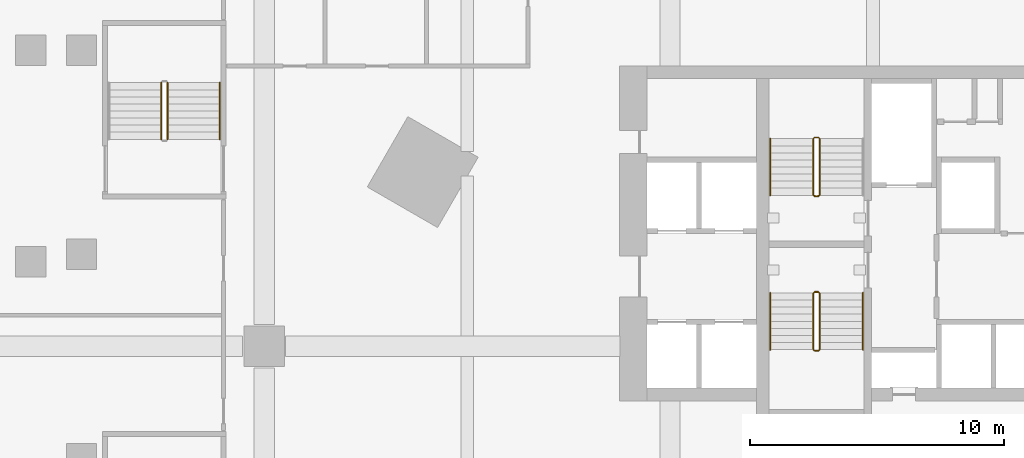
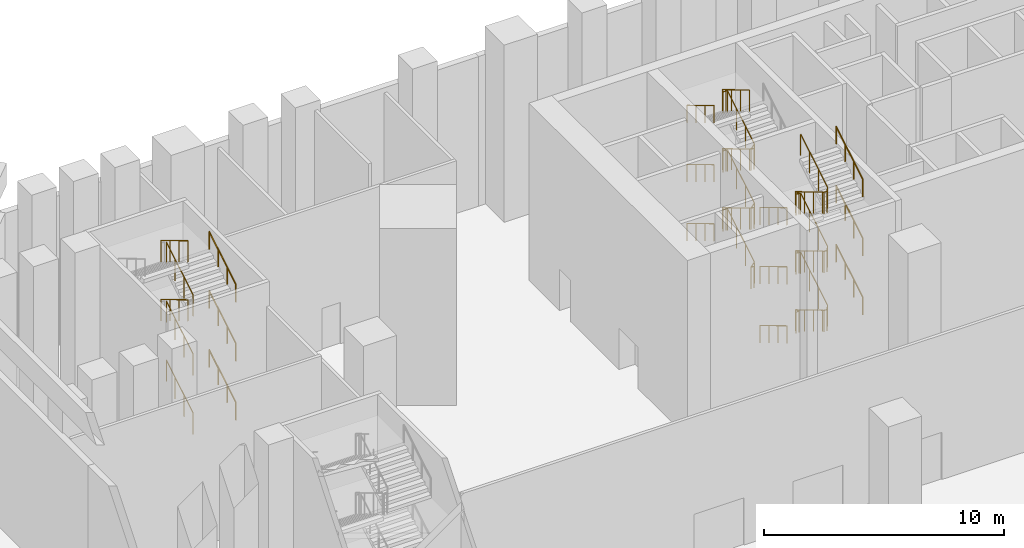
# One storey, part 19 of 25: 19 railings.
"""IFC4 building model written with IfcOpenShell, lengths in metres."""

from ifc_helpers import new_model, si_unit, direction, frame, origin, origin_2d, place, context, subcontext, project, spatial, circle, extrude, material, type_object, element, save


model = new_model("IFC4")

# Units and contexts
model_context = context("Model", 3, precision=1e-05, world=origin(), true_north=direction((0.0, 1.0)))
body_context = subcontext(model_context, "Body", "Model", "MODEL_VIEW")
ifc_project = project(units=[si_unit("LENGTHUNIT", "METRE"), si_unit("AREAUNIT", "SQUARE_METRE"), si_unit("VOLUMEUNIT", "CUBIC_METRE"), si_unit("PLANEANGLEUNIT", "RADIAN"), si_unit("MASSUNIT", "GRAM", prefix="KILO")], contexts=[model_context])

# Site, building, storey
site_placement = place(None, origin())
site = spatial("IfcSite", under=ifc_project, at=site_placement, CompositionType="ELEMENT")
building_placement = place(site_placement, origin())
building = spatial("IfcBuilding", under=site, at=building_placement, Name="Calabash Gate Tower", CompositionType="ELEMENT")
storey_placement = place(building_placement, frame((0.0, 0.0, 20.0)))
storey = spatial("IfcBuildingStorey", under=building, at=storey_placement, Name="L02", CompositionType="ELEMENT", Elevation=20.0)

# Railings
ifc_material_1 = material(Name="Black powder-coated steel balusters", Category="steel")
railing_type_1 = type_object("IfcRailingType", Name="Stair guard RL1100", PredefinedType="GUARDRAIL", material=ifc_material_1)
railing_1_placement = place(storey_placement, frame((-10.14990234375, 13.902587890625, 0.0)))
element("IfcRailing", 1, at=railing_1_placement, inside=storey, type_object=railing_type_1, Name="L02 ST1 stair guard 1", PredefinedType="GUARDRAIL", context=body_context, shape_type="SweptSolid", body=[
    extrude(circle(Radius=0.02392578125, at=origin_2d()), frame((0.0, 0.0, 1.076171875), z_axis=(-1.0, 0.0, 0.0), x_axis=(0.0, -1.0, 0.0)), (0.0, 0.0, 1.0), 0.150146484375),
    extrude(circle(Radius=0.02392578125, at=origin_2d()), frame((-0.150146484375, 0.0, 1.076171875), z_axis=(0.754182335027, 0.188775798145, 0.628945707965), x_axis=(-0.242814311512, 0.970072785993, 0.0)), (0.0, 0.0, 1.0), 0.26513671875),
    extrude(circle(Radius=0.02392578125, at=origin_2d()), frame((0.0498046875, 0.050048828125, 1.24267578125), z_axis=(0.0, 0.858493888361, 0.512823793955), x_axis=(-1.0, 0.0, 0.0)), (0.0, 0.0, 1.0), 2.599853515625),
    extrude(circle(Radius=0.02392578125, at=origin_2d()), frame((0.0498046875, 2.281982421875, 2.576171875), z_axis=(-0.705375805398, 0.708833529934, 0.0), x_axis=(-0.708833529934, -0.705375805398, 0.0)), (0.0, 0.0, 1.0), 0.070556640625),
    extrude(circle(Radius=0.02392578125, at=origin_2d()), frame((0.0, 2.33203125, 2.576171875), z_axis=(-1.0, 0.0, 0.0), x_axis=(0.0, -1.0, 0.0)), (0.0, 0.0, 1.0), 0.150146484375),
    extrude(circle(Radius=0.02392578125, at=origin_2d()), frame((-0.150146484375, 2.33203125, 2.576171875), z_axis=(-0.27628659633, -0.27628659633, 0.920506074601), x_axis=(0.707106781187, -0.707106781187, 0.0)), (0.0, 0.0, 1.0), 0.18115234375),
    extrude(circle(Radius=0.02392578125, at=origin_2d()), frame((-0.2001953125, 2.281982421875, 2.74267578125), z_axis=(0.0, -0.858493888361, 0.512823793955), x_axis=(1.0, 0.0, 0.0)), (0.0, 0.0, 1.0), 2.599853515625),
    extrude(circle(Radius=0.02392578125, at=origin_2d()), frame((-0.2001953125, 0.050048828125, 4.076171875), z_axis=(0.970142500145, -0.242535625036, 0.0), x_axis=(0.242535625036, 0.970142500145, 0.0)), (0.0, 0.0, 1.0), 0.206298828125),
    extrude(circle(Radius=0.02392578125, at=origin_2d()), frame((0.0, 0.0, 4.076171875), z_axis=(-1.0, 0.0, 0.0), x_axis=(0.0, -1.0, 0.0)), (0.0, 0.0, 1.0), 0.150146484375),
    extrude(circle(Radius=0.02392578125, at=origin_2d()), frame((-0.150146484375, 0.0, 4.076171875), z_axis=(0.754182335027, 0.188775798145, 0.628945707965), x_axis=(-0.242814311512, 0.970072785993, 0.0)), (0.0, 0.0, 1.0), 0.26513671875),
    extrude(circle(Radius=0.02392578125, at=origin_2d()), frame((0.0498046875, 0.050048828125, 4.24267578125), z_axis=(0.0, 0.858493888361, 0.512823793955), x_axis=(-1.0, 0.0, 0.0)), (0.0, 0.0, 1.0), 2.599853515625),
    extrude(circle(Radius=0.02392578125, at=origin_2d()), frame((0.0498046875, 2.281982421875, 5.576171875), z_axis=(-0.705375805398, 0.708833529934, 0.0), x_axis=(-0.708833529934, -0.705375805398, 0.0)), (0.0, 0.0, 1.0), 0.070556640625),
    extrude(circle(Radius=0.02392578125, at=origin_2d()), frame((0.0, 2.33203125, 5.576171875), z_axis=(-1.0, 0.0, 0.0), x_axis=(0.0, -1.0, 0.0)), (0.0, 0.0, 1.0), 0.150146484375),
    extrude(circle(Radius=0.02392578125, at=origin_2d()), frame((-0.150146484375, 2.33203125, 5.576171875), z_axis=(-0.27628659633, -0.27628659633, 0.920506074601), x_axis=(0.707106781187, -0.707106781187, 0.0)), (0.0, 0.0, 1.0), 0.18115234375),
    extrude(circle(Radius=0.02392578125, at=origin_2d()), frame((-0.2001953125, 2.281982421875, 5.74267578125), z_axis=(0.0, -0.858493888361, 0.512823793955), x_axis=(1.0, 0.0, 0.0)), (0.0, 0.0, 1.0), 2.599853515625),
    extrude(circle(Radius=0.02392578125, at=origin_2d()), frame((-0.2001953125, 0.050048828125, 7.076171875), z_axis=(0.970142500145, -0.242535625036, 0.0), x_axis=(0.242535625036, 0.970142500145, 0.0)), (0.0, 0.0, 1.0), 0.206298828125),
    extrude(circle(Radius=0.02392578125, at=origin_2d()), frame((0.0, 0.0, 7.076171875), z_axis=(-1.0, 0.0, 0.0), x_axis=(0.0, -1.0, 0.0)), (0.0, 0.0, 1.0), 0.150146484375),
    extrude(circle(Radius=0.02392578125, at=origin_2d()), frame((-0.150146484375, 0.0, 7.076171875), z_axis=(0.754182335027, 0.188775798145, 0.628945707965), x_axis=(-0.242814311512, 0.970072785993, 0.0)), (0.0, 0.0, 1.0), 0.26513671875),
    extrude(circle(Radius=0.02392578125, at=origin_2d()), frame((0.0498046875, 0.050048828125, 7.24267578125), z_axis=(0.0, 0.858493888361, 0.512823793955), x_axis=(-1.0, 0.0, 0.0)), (0.0, 0.0, 1.0), 2.599853515625),
    extrude(circle(Radius=0.02392578125, at=origin_2d()), frame((0.0498046875, 2.281982421875, 8.576171875), z_axis=(-0.705375805398, 0.708833529934, 0.0), x_axis=(-0.708833529934, -0.705375805398, 0.0)), (0.0, 0.0, 1.0), 0.070556640625),
    extrude(circle(Radius=0.02392578125, at=origin_2d()), frame((0.0, 2.33203125, 8.576171875), z_axis=(-1.0, 0.0, 0.0), x_axis=(0.0, -1.0, 0.0)), (0.0, 0.0, 1.0), 0.150146484375),
    extrude(circle(Radius=0.02392578125, at=origin_2d()), frame((-0.150146484375, 2.33203125, 8.576171875), z_axis=(-0.27628659633, -0.27628659633, 0.920506074601), x_axis=(0.707106781187, -0.707106781187, 0.0)), (0.0, 0.0, 1.0), 0.18115234375),
    extrude(circle(Radius=0.02392578125, at=origin_2d()), frame((-0.2001953125, 2.281982421875, 8.74267578125), z_axis=(0.0, -0.858493888361, 0.512823793955), x_axis=(1.0, 0.0, 0.0)), (0.0, 0.0, 1.0), 2.599853515625),
    extrude(circle(Radius=0.02099609375, at=origin_2d()), origin(), (0.0, 0.0, 1.0), 1.052001953125),
    extrude(circle(Radius=0.02099609375, at=origin_2d()), frame((-0.150146484375, 0.0, 0.0)), (0.0, 0.0, 1.0), 1.052001953125),
    extrude(circle(Radius=0.02099609375, at=origin_2d()), frame((0.0498046875, 0.050048828125, 0.166748046875)), (0.0, 0.0, 1.0), 1.052001953125),
    extrude(circle(Radius=0.02099609375, at=origin_2d()), frame((0.0498046875, 0.7939453125, 0.611083984375)), (0.0, 0.0, 1.0), 1.052001953125),
    extrude(circle(Radius=0.02099609375, at=origin_2d()), frame((0.0498046875, 1.5380859375, 1.0556640625)), (0.0, 0.0, 1.0), 1.052001953125),
    extrude(circle(Radius=0.02099609375, at=origin_2d()), frame((0.0498046875, 2.281982421875, 1.5)), (0.0, 0.0, 1.0), 1.052001953125),
    extrude(circle(Radius=0.02099609375, at=origin_2d()), frame((0.0, 2.33203125, 1.5)), (0.0, 0.0, 1.0), 1.052001953125),
    extrude(circle(Radius=0.02099609375, at=origin_2d()), frame((-0.150146484375, 2.33203125, 1.5)), (0.0, 0.0, 1.0), 1.052001953125),
    extrude(circle(Radius=0.02099609375, at=origin_2d()), frame((-0.2001953125, 2.281982421875, 1.666748046875)), (0.0, 0.0, 1.0), 1.052001953125),
    extrude(circle(Radius=0.02099609375, at=origin_2d()), frame((-0.2001953125, 1.5380859375, 2.111083984375)), (0.0, 0.0, 1.0), 1.052001953125),
    extrude(circle(Radius=0.02099609375, at=origin_2d()), frame((-0.2001953125, 0.7939453125, 2.5556640625)), (0.0, 0.0, 1.0), 1.052001953125),
    extrude(circle(Radius=0.02099609375, at=origin_2d()), frame((-0.2001953125, 0.050048828125, 3.0)), (0.0, 0.0, 1.0), 1.052001953125),
    extrude(circle(Radius=0.02099609375, at=origin_2d()), frame((0.0, 0.0, 3.0)), (0.0, 0.0, 1.0), 1.052001953125),
    extrude(circle(Radius=0.02099609375, at=origin_2d()), frame((-0.150146484375, 0.0, 3.0)), (0.0, 0.0, 1.0), 1.052001953125),
    extrude(circle(Radius=0.02099609375, at=origin_2d()), frame((0.0498046875, 0.050048828125, 3.166748046875)), (0.0, 0.0, 1.0), 1.052001953125),
    extrude(circle(Radius=0.02099609375, at=origin_2d()), frame((0.0498046875, 0.7939453125, 3.611083984375)), (0.0, 0.0, 1.0), 1.052001953125),
    extrude(circle(Radius=0.02099609375, at=origin_2d()), frame((0.0498046875, 1.5380859375, 4.0556640625)), (0.0, 0.0, 1.0), 1.052001953125),
    extrude(circle(Radius=0.02099609375, at=origin_2d()), frame((0.0498046875, 2.281982421875, 4.5)), (0.0, 0.0, 1.0), 1.052001953125),
    extrude(circle(Radius=0.02099609375, at=origin_2d()), frame((0.0, 2.33203125, 4.5)), (0.0, 0.0, 1.0), 1.052001953125),
    extrude(circle(Radius=0.02099609375, at=origin_2d()), frame((-0.150146484375, 2.33203125, 4.5)), (0.0, 0.0, 1.0), 1.052001953125),
    extrude(circle(Radius=0.02099609375, at=origin_2d()), frame((-0.2001953125, 2.281982421875, 4.666748046875)), (0.0, 0.0, 1.0), 1.052001953125),
    extrude(circle(Radius=0.02099609375, at=origin_2d()), frame((-0.2001953125, 1.5380859375, 5.111083984375)), (0.0, 0.0, 1.0), 1.052001953125),
    extrude(circle(Radius=0.02099609375, at=origin_2d()), frame((-0.2001953125, 0.7939453125, 5.5556640625)), (0.0, 0.0, 1.0), 1.052001953125),
    extrude(circle(Radius=0.02099609375, at=origin_2d()), frame((-0.2001953125, 0.050048828125, 6.0)), (0.0, 0.0, 1.0), 1.052001953125),
    extrude(circle(Radius=0.02099609375, at=origin_2d()), frame((0.0, 0.0, 6.0)), (0.0, 0.0, 1.0), 1.052001953125),
    extrude(circle(Radius=0.02099609375, at=origin_2d()), frame((-0.150146484375, 0.0, 6.0)), (0.0, 0.0, 1.0), 1.052001953125),
    extrude(circle(Radius=0.02099609375, at=origin_2d()), frame((0.0498046875, 0.050048828125, 6.166748046875)), (0.0, 0.0, 1.0), 1.052001953125),
    extrude(circle(Radius=0.02099609375, at=origin_2d()), frame((0.0498046875, 0.7939453125, 6.611083984375)), (0.0, 0.0, 1.0), 1.052001953125),
    extrude(circle(Radius=0.02099609375, at=origin_2d()), frame((0.0498046875, 1.5380859375, 7.0556640625)), (0.0, 0.0, 1.0), 1.052001953125),
    extrude(circle(Radius=0.02099609375, at=origin_2d()), frame((0.0498046875, 2.281982421875, 7.5)), (0.0, 0.0, 1.0), 1.052001953125),
    extrude(circle(Radius=0.02099609375, at=origin_2d()), frame((0.0, 2.33203125, 7.5)), (0.0, 0.0, 1.0), 1.052001953125),
    extrude(circle(Radius=0.02099609375, at=origin_2d()), frame((-0.150146484375, 2.33203125, 7.5)), (0.0, 0.0, 1.0), 1.052001953125),
    extrude(circle(Radius=0.02099609375, at=origin_2d()), frame((-0.2001953125, 2.281982421875, 7.666748046875)), (0.0, 0.0, 1.0), 1.052001953125),
    extrude(circle(Radius=0.02099609375, at=origin_2d()), frame((-0.2001953125, 1.5380859375, 8.111083984375)), (0.0, 0.0, 1.0), 1.052001953125),
    extrude(circle(Radius=0.02099609375, at=origin_2d()), frame((-0.2001953125, 0.7939453125, 8.5556640625)), (0.0, 0.0, 1.0), 1.052001953125),
    extrude(circle(Radius=0.02099609375, at=origin_2d()), frame((-0.2001953125, 0.050048828125, 9.0)), (0.0, 0.0, 1.0), 1.052001953125),
])
railing_2_placement = place(storey_placement, frame((-10.300048828125, 10.152587890625, 0.0)))
element("IfcRailing", 2, at=railing_2_placement, inside=storey, type_object=railing_type_1, Name="L02 ST2 stair guard 1", PredefinedType="GUARDRAIL", context=body_context, shape_type="SweptSolid", body=[
    extrude(circle(Radius=0.02392578125, at=origin_2d()), frame((0.0, 0.0, 1.076171875), z_axis=(1.0, 0.0, 0.0), x_axis=(0.0, 1.0, 0.0)), (0.0, 0.0, 1.0), 0.150146484375),
    extrude(circle(Radius=0.02392578125, at=origin_2d()), frame((0.150146484375, 0.0, 1.076171875), z_axis=(-0.75457900375, -0.188644750937, 0.628509097026), x_axis=(0.242535625036, -0.970142500145, 0.0)), (0.0, 0.0, 1.0), 0.265380859375),
    extrude(circle(Radius=0.02392578125, at=origin_2d()), frame((-0.050048828125, -0.050048828125, 1.24267578125), z_axis=(0.0, -0.858493888361, 0.512823793955), x_axis=(1.0, 0.0, 0.0)), (0.0, 0.0, 1.0), 2.599853515625),
    extrude(circle(Radius=0.02392578125, at=origin_2d()), frame((-0.050048828125, -2.281982421875, 2.576171875), z_axis=(0.707106781187, -0.707106781187, 0.0), x_axis=(0.707106781187, 0.707106781187, 0.0)), (0.0, 0.0, 1.0), 0.07080078125),
    extrude(circle(Radius=0.02392578125, at=origin_2d()), frame((0.0, -2.33203125, 2.576171875), z_axis=(1.0, 0.0, 0.0), x_axis=(0.0, 1.0, 0.0)), (0.0, 0.0, 1.0), 0.150146484375),
    extrude(circle(Radius=0.02392578125, at=origin_2d()), frame((0.150146484375, -2.33203125, 2.576171875), z_axis=(0.275041040955, 0.276389281352, 0.920848191041), x_axis=(-0.708833529934, 0.705375805398, 0.0)), (0.0, 0.0, 1.0), 0.18115234375),
    extrude(circle(Radius=0.02392578125, at=origin_2d()), frame((0.199951171875, -2.281982421875, 2.74267578125), z_axis=(0.0, 0.858493888361, 0.512823793955), x_axis=(-1.0, 0.0, 0.0)), (0.0, 0.0, 1.0), 2.599853515625),
    extrude(circle(Radius=0.02392578125, at=origin_2d()), frame((0.199951171875, -0.050048828125, 4.076171875), z_axis=(-0.970072785993, 0.242814311512, 0.0), x_axis=(-0.242814311512, -0.970072785993, 0.0)), (0.0, 0.0, 1.0), 0.2060546875),
    extrude(circle(Radius=0.02392578125, at=origin_2d()), frame((0.0, 0.0, 4.076171875), z_axis=(1.0, 0.0, 0.0), x_axis=(0.0, 1.0, 0.0)), (0.0, 0.0, 1.0), 0.150146484375),
    extrude(circle(Radius=0.02392578125, at=origin_2d()), frame((0.150146484375, 0.0, 4.076171875), z_axis=(-0.75457900375, -0.188644750937, 0.628509097026), x_axis=(0.242535625036, -0.970142500145, 0.0)), (0.0, 0.0, 1.0), 0.265380859375),
    extrude(circle(Radius=0.02392578125, at=origin_2d()), frame((-0.050048828125, -0.050048828125, 4.24267578125), z_axis=(0.0, -0.858493888361, 0.512823793955), x_axis=(1.0, 0.0, 0.0)), (0.0, 0.0, 1.0), 2.599853515625),
    extrude(circle(Radius=0.02392578125, at=origin_2d()), frame((-0.050048828125, -2.281982421875, 5.576171875), z_axis=(0.707106781187, -0.707106781187, 0.0), x_axis=(0.707106781187, 0.707106781187, 0.0)), (0.0, 0.0, 1.0), 0.07080078125),
    extrude(circle(Radius=0.02392578125, at=origin_2d()), frame((0.0, -2.33203125, 5.576171875), z_axis=(1.0, 0.0, 0.0), x_axis=(0.0, 1.0, 0.0)), (0.0, 0.0, 1.0), 0.150146484375),
    extrude(circle(Radius=0.02392578125, at=origin_2d()), frame((0.150146484375, -2.33203125, 5.576171875), z_axis=(0.275041040955, 0.276389281352, 0.920848191041), x_axis=(-0.708833529934, 0.705375805398, 0.0)), (0.0, 0.0, 1.0), 0.18115234375),
    extrude(circle(Radius=0.02392578125, at=origin_2d()), frame((0.199951171875, -2.281982421875, 5.74267578125), z_axis=(0.0, 0.858493888361, 0.512823793955), x_axis=(-1.0, 0.0, 0.0)), (0.0, 0.0, 1.0), 2.599853515625),
    extrude(circle(Radius=0.02392578125, at=origin_2d()), frame((0.199951171875, -0.050048828125, 7.076171875), z_axis=(-0.970072785993, 0.242814311512, 0.0), x_axis=(-0.242814311512, -0.970072785993, 0.0)), (0.0, 0.0, 1.0), 0.2060546875),
    extrude(circle(Radius=0.02392578125, at=origin_2d()), frame((0.0, 0.0, 7.076171875), z_axis=(1.0, 0.0, 0.0), x_axis=(0.0, 1.0, 0.0)), (0.0, 0.0, 1.0), 0.150146484375),
    extrude(circle(Radius=0.02392578125, at=origin_2d()), frame((0.150146484375, 0.0, 7.076171875), z_axis=(-0.75457900375, -0.188644750937, 0.628509097026), x_axis=(0.242535625036, -0.970142500145, 0.0)), (0.0, 0.0, 1.0), 0.265380859375),
    extrude(circle(Radius=0.02392578125, at=origin_2d()), frame((-0.050048828125, -0.050048828125, 7.24267578125), z_axis=(0.0, -0.858493888361, 0.512823793955), x_axis=(1.0, 0.0, 0.0)), (0.0, 0.0, 1.0), 2.599853515625),
    extrude(circle(Radius=0.02392578125, at=origin_2d()), frame((-0.050048828125, -2.281982421875, 8.576171875), z_axis=(0.707106781187, -0.707106781187, 0.0), x_axis=(0.707106781187, 0.707106781187, 0.0)), (0.0, 0.0, 1.0), 0.07080078125),
    extrude(circle(Radius=0.02392578125, at=origin_2d()), frame((0.0, -2.33203125, 8.576171875), z_axis=(1.0, 0.0, 0.0), x_axis=(0.0, 1.0, 0.0)), (0.0, 0.0, 1.0), 0.150146484375),
    extrude(circle(Radius=0.02392578125, at=origin_2d()), frame((0.150146484375, -2.33203125, 8.576171875), z_axis=(0.275041040955, 0.276389281352, 0.920848191041), x_axis=(-0.708833529934, 0.705375805398, 0.0)), (0.0, 0.0, 1.0), 0.18115234375),
    extrude(circle(Radius=0.02392578125, at=origin_2d()), frame((0.199951171875, -2.281982421875, 8.74267578125), z_axis=(0.0, 0.858493888361, 0.512823793955), x_axis=(-1.0, 0.0, 0.0)), (0.0, 0.0, 1.0), 2.599853515625),
    extrude(circle(Radius=0.02099609375, at=origin_2d()), origin(), (0.0, 0.0, 1.0), 1.052001953125),
    extrude(circle(Radius=0.02099609375, at=origin_2d()), frame((0.150146484375, 0.0, 0.0)), (0.0, 0.0, 1.0), 1.052001953125),
    extrude(circle(Radius=0.02099609375, at=origin_2d()), frame((-0.050048828125, -0.050048828125, 0.166748046875)), (0.0, 0.0, 1.0), 1.052001953125),
    extrude(circle(Radius=0.02099609375, at=origin_2d()), frame((-0.050048828125, -0.7939453125, 0.611083984375)), (0.0, 0.0, 1.0), 1.052001953125),
    extrude(circle(Radius=0.02099609375, at=origin_2d()), frame((-0.050048828125, -1.5380859375, 1.0556640625)), (0.0, 0.0, 1.0), 1.052001953125),
    extrude(circle(Radius=0.02099609375, at=origin_2d()), frame((-0.050048828125, -2.281982421875, 1.5)), (0.0, 0.0, 1.0), 1.052001953125),
    extrude(circle(Radius=0.02099609375, at=origin_2d()), frame((0.0, -2.33203125, 1.5)), (0.0, 0.0, 1.0), 1.052001953125),
    extrude(circle(Radius=0.02099609375, at=origin_2d()), frame((0.150146484375, -2.33203125, 1.5)), (0.0, 0.0, 1.0), 1.052001953125),
    extrude(circle(Radius=0.02099609375, at=origin_2d()), frame((0.199951171875, -2.281982421875, 1.666748046875)), (0.0, 0.0, 1.0), 1.052001953125),
    extrude(circle(Radius=0.02099609375, at=origin_2d()), frame((0.199951171875, -1.5380859375, 2.111083984375)), (0.0, 0.0, 1.0), 1.052001953125),
    extrude(circle(Radius=0.02099609375, at=origin_2d()), frame((0.199951171875, -0.7939453125, 2.5556640625)), (0.0, 0.0, 1.0), 1.052001953125),
    extrude(circle(Radius=0.02099609375, at=origin_2d()), frame((0.199951171875, -0.050048828125, 3.0)), (0.0, 0.0, 1.0), 1.052001953125),
    extrude(circle(Radius=0.02099609375, at=origin_2d()), frame((0.0, 0.0, 3.0)), (0.0, 0.0, 1.0), 1.052001953125),
    extrude(circle(Radius=0.02099609375, at=origin_2d()), frame((0.150146484375, 0.0, 3.0)), (0.0, 0.0, 1.0), 1.052001953125),
    extrude(circle(Radius=0.02099609375, at=origin_2d()), frame((-0.050048828125, -0.050048828125, 3.166748046875)), (0.0, 0.0, 1.0), 1.052001953125),
    extrude(circle(Radius=0.02099609375, at=origin_2d()), frame((-0.050048828125, -0.7939453125, 3.611083984375)), (0.0, 0.0, 1.0), 1.052001953125),
    extrude(circle(Radius=0.02099609375, at=origin_2d()), frame((-0.050048828125, -1.5380859375, 4.0556640625)), (0.0, 0.0, 1.0), 1.052001953125),
    extrude(circle(Radius=0.02099609375, at=origin_2d()), frame((-0.050048828125, -2.281982421875, 4.5)), (0.0, 0.0, 1.0), 1.052001953125),
    extrude(circle(Radius=0.02099609375, at=origin_2d()), frame((0.0, -2.33203125, 4.5)), (0.0, 0.0, 1.0), 1.052001953125),
    extrude(circle(Radius=0.02099609375, at=origin_2d()), frame((0.150146484375, -2.33203125, 4.5)), (0.0, 0.0, 1.0), 1.052001953125),
    extrude(circle(Radius=0.02099609375, at=origin_2d()), frame((0.199951171875, -2.281982421875, 4.666748046875)), (0.0, 0.0, 1.0), 1.052001953125),
    extrude(circle(Radius=0.02099609375, at=origin_2d()), frame((0.199951171875, -1.5380859375, 5.111083984375)), (0.0, 0.0, 1.0), 1.052001953125),
    extrude(circle(Radius=0.02099609375, at=origin_2d()), frame((0.199951171875, -0.7939453125, 5.5556640625)), (0.0, 0.0, 1.0), 1.052001953125),
    extrude(circle(Radius=0.02099609375, at=origin_2d()), frame((0.199951171875, -0.050048828125, 6.0)), (0.0, 0.0, 1.0), 1.052001953125),
    extrude(circle(Radius=0.02099609375, at=origin_2d()), frame((0.0, 0.0, 6.0)), (0.0, 0.0, 1.0), 1.052001953125),
    extrude(circle(Radius=0.02099609375, at=origin_2d()), frame((0.150146484375, 0.0, 6.0)), (0.0, 0.0, 1.0), 1.052001953125),
    extrude(circle(Radius=0.02099609375, at=origin_2d()), frame((-0.050048828125, -0.050048828125, 6.166748046875)), (0.0, 0.0, 1.0), 1.052001953125),
    extrude(circle(Radius=0.02099609375, at=origin_2d()), frame((-0.050048828125, -0.7939453125, 6.611083984375)), (0.0, 0.0, 1.0), 1.052001953125),
    extrude(circle(Radius=0.02099609375, at=origin_2d()), frame((-0.050048828125, -1.5380859375, 7.0556640625)), (0.0, 0.0, 1.0), 1.052001953125),
    extrude(circle(Radius=0.02099609375, at=origin_2d()), frame((-0.050048828125, -2.281982421875, 7.5)), (0.0, 0.0, 1.0), 1.052001953125),
    extrude(circle(Radius=0.02099609375, at=origin_2d()), frame((0.0, -2.33203125, 7.5)), (0.0, 0.0, 1.0), 1.052001953125),
    extrude(circle(Radius=0.02099609375, at=origin_2d()), frame((0.150146484375, -2.33203125, 7.5)), (0.0, 0.0, 1.0), 1.052001953125),
    extrude(circle(Radius=0.02099609375, at=origin_2d()), frame((0.199951171875, -2.281982421875, 7.666748046875)), (0.0, 0.0, 1.0), 1.052001953125),
    extrude(circle(Radius=0.02099609375, at=origin_2d()), frame((0.199951171875, -1.5380859375, 8.111083984375)), (0.0, 0.0, 1.0), 1.052001953125),
    extrude(circle(Radius=0.02099609375, at=origin_2d()), frame((0.199951171875, -0.7939453125, 8.5556640625)), (0.0, 0.0, 1.0), 1.052001953125),
    extrude(circle(Radius=0.02099609375, at=origin_2d()), frame((0.199951171875, -0.050048828125, 9.0)), (0.0, 0.0, 1.0), 1.052001953125),
])
for number, where, name in (
    (3, (-35.81005859375, 16.159912109375, 0.166748046875), "L02 PS5 stair guard 1"),
    (4, (-35.81005859375, 16.159912109375, 3.166748046875), "L02 PS5 stair guard 5"),
):
    element("IfcRailing", number, at=place(storey_placement, frame(where)), inside=storey, type_object=railing_type_1, Name=name, PredefinedType="GUARDRAIL", context=body_context, shape_type="SweptSolid", body=[
        extrude(circle(Radius=0.02392578125, at=origin_2d()), frame((0.0, 0.0, 1.076171875), z_axis=(0.0, 0.8585185817, 0.512782453753), x_axis=(-1.0, 0.0, 0.0)), (0.0, 0.0, 1.0), 2.60009765625),
        extrude(circle(Radius=0.02099609375, at=origin_2d()), origin(), (0.0, 0.0, 1.0), 1.052001953125),
        extrude(circle(Radius=0.02099609375, at=origin_2d()), frame((0.0, 0.744140625, 0.4443359375)), (0.0, 0.0, 1.0), 1.052001953125),
        extrude(circle(Radius=0.02099609375, at=origin_2d()), frame((0.0, 1.488037109375, 0.888916015625)), (0.0, 0.0, 1.0), 1.052001953125),
        extrude(circle(Radius=0.02099609375, at=origin_2d()), frame((0.0, 2.232177734375, 1.333251953125)), (0.0, 0.0, 1.0), 1.052001953125),
    ])
railing_3_placement = place(storey_placement, frame((-36.06005859375, 18.39208984375, 4.666748046875)))
element("IfcRailing", 5, at=railing_3_placement, inside=storey, type_object=railing_type_1, Name="L02 PS5 stair guard 7", PredefinedType="GUARDRAIL", context=body_context, shape_type="SweptSolid", body=[
    extrude(circle(Radius=0.02392578125, at=origin_2d()), frame((0.0, 0.0, 1.076171875), z_axis=(0.0, -0.8585185817, 0.512782453753), x_axis=(1.0, 0.0, 0.0)), (0.0, 0.0, 1.0), 2.60009765625),
    extrude(circle(Radius=0.02099609375, at=origin_2d()), origin(), (0.0, 0.0, 1.0), 1.052001953125),
    extrude(circle(Radius=0.02099609375, at=origin_2d()), frame((0.0, -0.744140625, 0.4443359375)), (0.0, 0.0, 1.0), 1.052001953125),
    extrude(circle(Radius=0.02099609375, at=origin_2d()), frame((0.0, -1.488037109375, 0.888916015625)), (0.0, 0.0, 1.0), 1.052001953125),
    extrude(circle(Radius=0.02099609375, at=origin_2d()), frame((0.0, -2.232177734375, 1.333251953125)), (0.0, 0.0, 1.0), 1.052001953125),
])
railing_4_placement = place(storey_placement, frame((-35.81005859375, 16.159912109375, 6.166748046875)))
element("IfcRailing", 6, at=railing_4_placement, inside=storey, type_object=railing_type_1, Name="L02 PS5 stair guard 9", PredefinedType="GUARDRAIL", context=body_context, shape_type="SweptSolid", body=[
    extrude(circle(Radius=0.02392578125, at=origin_2d()), frame((0.0, 0.0, 1.076171875), z_axis=(0.0, 0.8585185817, 0.512782453753), x_axis=(-1.0, 0.0, 0.0)), (0.0, 0.0, 1.0), 2.60009765625),
    extrude(circle(Radius=0.02099609375, at=origin_2d()), origin(), (0.0, 0.0, 1.0), 1.052001953125),
    extrude(circle(Radius=0.02099609375, at=origin_2d()), frame((0.0, 0.744140625, 0.4443359375)), (0.0, 0.0, 1.0), 1.052001953125),
    extrude(circle(Radius=0.02099609375, at=origin_2d()), frame((0.0, 1.488037109375, 0.888916015625)), (0.0, 0.0, 1.0), 1.052001953125),
    extrude(circle(Radius=0.02099609375, at=origin_2d()), frame((0.0, 2.232177734375, 1.333251953125)), (0.0, 0.0, 1.0), 1.052001953125),
])
railing_5_placement = place(storey_placement, frame((-36.06005859375, 18.39208984375, 7.666748046875)))
element("IfcRailing", 7, at=railing_5_placement, inside=storey, type_object=railing_type_1, Name="L02 PS5 stair guard 11", PredefinedType="GUARDRAIL", context=body_context, shape_type="SweptSolid", body=[
    extrude(circle(Radius=0.02392578125, at=origin_2d()), frame((0.0, 0.0, 1.076171875), z_axis=(0.0, -0.8585185817, 0.512782453753), x_axis=(1.0, 0.0, 0.0)), (0.0, 0.0, 1.0), 2.60009765625),
    extrude(circle(Radius=0.02099609375, at=origin_2d()), origin(), (0.0, 0.0, 1.0), 1.052001953125),
    extrude(circle(Radius=0.02099609375, at=origin_2d()), frame((0.0, -0.744140625, 0.4443359375)), (0.0, 0.0, 1.0), 1.052001953125),
    extrude(circle(Radius=0.02099609375, at=origin_2d()), frame((0.0, -1.488037109375, 0.888916015625)), (0.0, 0.0, 1.0), 1.052001953125),
    extrude(circle(Radius=0.02099609375, at=origin_2d()), frame((0.0, -2.232177734375, 1.333251953125)), (0.0, 0.0, 1.0), 1.052001953125),
])
ifc_material_2 = material(Name="Black powder-coated steel tube 48 mm", Category="steel")
railing_type_2 = type_object("IfcRailingType", Name="Stair handrail RL900", PredefinedType="HANDRAIL", material=ifc_material_2)
for number, where, name in (
    (8, (-12.050048828125, 16.1845703125, 1.666748046875), "L02 ST1 stair handrail 2"),
    (9, (-12.050048828125, 16.1845703125, 4.666748046875), "L02 ST1 stair handrail 4"),
    (10, (-12.050048828125, 16.1845703125, 7.666748046875), "L02 ST1 stair handrail 6"),
    (11, (-12.050048828125, 10.1025390625, 0.166748046875), "L02 ST2 stair handrail 1"),
):
    element("IfcRailing", number, at=place(storey_placement, frame(where)), inside=storey, type_object=railing_type_2, Name=name, PredefinedType="HANDRAIL", context=body_context, shape_type="SweptSolid", body=[
        extrude(circle(Radius=0.02392578125, at=origin_2d()), frame((0.0, 0.0, 0.8759765625), z_axis=(0.0, -0.858493888361, 0.512823793955), x_axis=(1.0, 0.0, 0.0)), (0.0, 0.0, 1.0), 2.599853515625),
        extrude(circle(Radius=0.02099609375, at=origin_2d()), origin(), (0.0, 0.0, 1.0), 0.851806640625),
        extrude(circle(Radius=0.02099609375, at=origin_2d()), frame((0.0, -0.743896484375, 0.4443359375)), (0.0, 0.0, 1.0), 0.851806640625),
        extrude(circle(Radius=0.02099609375, at=origin_2d()), frame((0.0, -1.488037109375, 0.888916015625)), (0.0, 0.0, 1.0), 0.851806640625),
        extrude(circle(Radius=0.02099609375, at=origin_2d()), frame((0.0, -2.23193359375, 1.333251953125)), (0.0, 0.0, 1.0), 0.851806640625),
    ])
railing_6_placement = place(storey_placement, frame((-8.39990234375, 7.87060546875, 1.666748046875)))
element("IfcRailing", 12, at=railing_6_placement, inside=storey, type_object=railing_type_2, Name="L02 ST2 stair handrail 2", PredefinedType="HANDRAIL", context=body_context, shape_type="SweptSolid", body=[
    extrude(circle(Radius=0.02392578125, at=origin_2d()), frame((0.0, 0.0, 0.8759765625), z_axis=(0.0, 0.858493888361, 0.512823793955), x_axis=(-1.0, 0.0, 0.0)), (0.0, 0.0, 1.0), 2.599853515625),
    extrude(circle(Radius=0.02099609375, at=origin_2d()), origin(), (0.0, 0.0, 1.0), 0.851806640625),
    extrude(circle(Radius=0.02099609375, at=origin_2d()), frame((0.0, 0.743896484375, 0.4443359375)), (0.0, 0.0, 1.0), 0.851806640625),
    extrude(circle(Radius=0.02099609375, at=origin_2d()), frame((0.0, 1.488037109375, 0.888916015625)), (0.0, 0.0, 1.0), 0.851806640625),
    extrude(circle(Radius=0.02099609375, at=origin_2d()), frame((0.0, 2.23193359375, 1.333251953125)), (0.0, 0.0, 1.0), 0.851806640625),
])
railing_7_placement = place(storey_placement, frame((-12.050048828125, 10.1025390625, 3.166748046875)))
element("IfcRailing", 13, at=railing_7_placement, inside=storey, type_object=railing_type_2, Name="L02 ST2 stair handrail 3", PredefinedType="HANDRAIL", context=body_context, shape_type="SweptSolid", body=[
    extrude(circle(Radius=0.02392578125, at=origin_2d()), frame((0.0, 0.0, 0.8759765625), z_axis=(0.0, -0.858493888361, 0.512823793955), x_axis=(1.0, 0.0, 0.0)), (0.0, 0.0, 1.0), 2.599853515625),
    extrude(circle(Radius=0.02099609375, at=origin_2d()), origin(), (0.0, 0.0, 1.0), 0.851806640625),
    extrude(circle(Radius=0.02099609375, at=origin_2d()), frame((0.0, -0.743896484375, 0.4443359375)), (0.0, 0.0, 1.0), 0.851806640625),
    extrude(circle(Radius=0.02099609375, at=origin_2d()), frame((0.0, -1.488037109375, 0.888916015625)), (0.0, 0.0, 1.0), 0.851806640625),
    extrude(circle(Radius=0.02099609375, at=origin_2d()), frame((0.0, -2.23193359375, 1.333251953125)), (0.0, 0.0, 1.0), 0.851806640625),
])
railing_8_placement = place(storey_placement, frame((-8.39990234375, 7.87060546875, 4.666748046875)))
element("IfcRailing", 14, at=railing_8_placement, inside=storey, type_object=railing_type_2, Name="L02 ST2 stair handrail 4", PredefinedType="HANDRAIL", context=body_context, shape_type="SweptSolid", body=[
    extrude(circle(Radius=0.02392578125, at=origin_2d()), frame((0.0, 0.0, 0.8759765625), z_axis=(0.0, 0.858493888361, 0.512823793955), x_axis=(-1.0, 0.0, 0.0)), (0.0, 0.0, 1.0), 2.599853515625),
    extrude(circle(Radius=0.02099609375, at=origin_2d()), origin(), (0.0, 0.0, 1.0), 0.851806640625),
    extrude(circle(Radius=0.02099609375, at=origin_2d()), frame((0.0, 0.743896484375, 0.4443359375)), (0.0, 0.0, 1.0), 0.851806640625),
    extrude(circle(Radius=0.02099609375, at=origin_2d()), frame((0.0, 1.488037109375, 0.888916015625)), (0.0, 0.0, 1.0), 0.851806640625),
    extrude(circle(Radius=0.02099609375, at=origin_2d()), frame((0.0, 2.23193359375, 1.333251953125)), (0.0, 0.0, 1.0), 0.851806640625),
])
railing_9_placement = place(storey_placement, frame((-12.050048828125, 10.1025390625, 6.166748046875)))
element("IfcRailing", 15, at=railing_9_placement, inside=storey, type_object=railing_type_2, Name="L02 ST2 stair handrail 5", PredefinedType="HANDRAIL", context=body_context, shape_type="SweptSolid", body=[
    extrude(circle(Radius=0.02392578125, at=origin_2d()), frame((0.0, 0.0, 0.8759765625), z_axis=(0.0, -0.858493888361, 0.512823793955), x_axis=(1.0, 0.0, 0.0)), (0.0, 0.0, 1.0), 2.599853515625),
    extrude(circle(Radius=0.02099609375, at=origin_2d()), origin(), (0.0, 0.0, 1.0), 0.851806640625),
    extrude(circle(Radius=0.02099609375, at=origin_2d()), frame((0.0, -0.743896484375, 0.4443359375)), (0.0, 0.0, 1.0), 0.851806640625),
    extrude(circle(Radius=0.02099609375, at=origin_2d()), frame((0.0, -1.488037109375, 0.888916015625)), (0.0, 0.0, 1.0), 0.851806640625),
    extrude(circle(Radius=0.02099609375, at=origin_2d()), frame((0.0, -2.23193359375, 1.333251953125)), (0.0, 0.0, 1.0), 0.851806640625),
])
railing_10_placement = place(storey_placement, frame((-8.39990234375, 7.87060546875, 7.666748046875)))
element("IfcRailing", 16, at=railing_10_placement, inside=storey, type_object=railing_type_2, Name="L02 ST2 stair handrail 6", PredefinedType="HANDRAIL", context=body_context, shape_type="SweptSolid", body=[
    extrude(circle(Radius=0.02392578125, at=origin_2d()), frame((0.0, 0.0, 0.8759765625), z_axis=(0.0, 0.858493888361, 0.512823793955), x_axis=(-1.0, 0.0, 0.0)), (0.0, 0.0, 1.0), 2.599853515625),
    extrude(circle(Radius=0.02099609375, at=origin_2d()), origin(), (0.0, 0.0, 1.0), 0.851806640625),
    extrude(circle(Radius=0.02099609375, at=origin_2d()), frame((0.0, 0.743896484375, 0.4443359375)), (0.0, 0.0, 1.0), 0.851806640625),
    extrude(circle(Radius=0.02099609375, at=origin_2d()), frame((0.0, 1.488037109375, 0.888916015625)), (0.0, 0.0, 1.0), 0.851806640625),
    extrude(circle(Radius=0.02099609375, at=origin_2d()), frame((0.0, 2.23193359375, 1.333251953125)), (0.0, 0.0, 1.0), 0.851806640625),
])
for number, where, name in (
    (17, (-33.75, 16.159912109375, 0.166748046875), "L02 PS5 stair handrail 1"),
    (18, (-33.75, 16.159912109375, 3.166748046875), "L02 PS5 stair handrail 3"),
    (19, (-33.75, 16.159912109375, 6.166748046875), "L02 PS5 stair handrail 5"),
):
    element("IfcRailing", number, at=place(storey_placement, frame(where)), inside=storey, type_object=railing_type_2, Name=name, PredefinedType="HANDRAIL", context=body_context, shape_type="SweptSolid", body=[
        extrude(circle(Radius=0.02392578125, at=origin_2d()), frame((0.0, 0.0, 0.8759765625), z_axis=(0.0, 0.8585185817, 0.512782453753), x_axis=(-1.0, 0.0, 0.0)), (0.0, 0.0, 1.0), 2.60009765625),
        extrude(circle(Radius=0.02099609375, at=origin_2d()), origin(), (0.0, 0.0, 1.0), 0.851806640625),
        extrude(circle(Radius=0.02099609375, at=origin_2d()), frame((0.0, 0.744140625, 0.4443359375)), (0.0, 0.0, 1.0), 0.851806640625),
        extrude(circle(Radius=0.02099609375, at=origin_2d()), frame((0.0, 1.488037109375, 0.888916015625)), (0.0, 0.0, 1.0), 0.851806640625),
        extrude(circle(Radius=0.02099609375, at=origin_2d()), frame((0.0, 2.232177734375, 1.333251953125)), (0.0, 0.0, 1.0), 0.851806640625),
    ])

save(model, "model.ifc")
